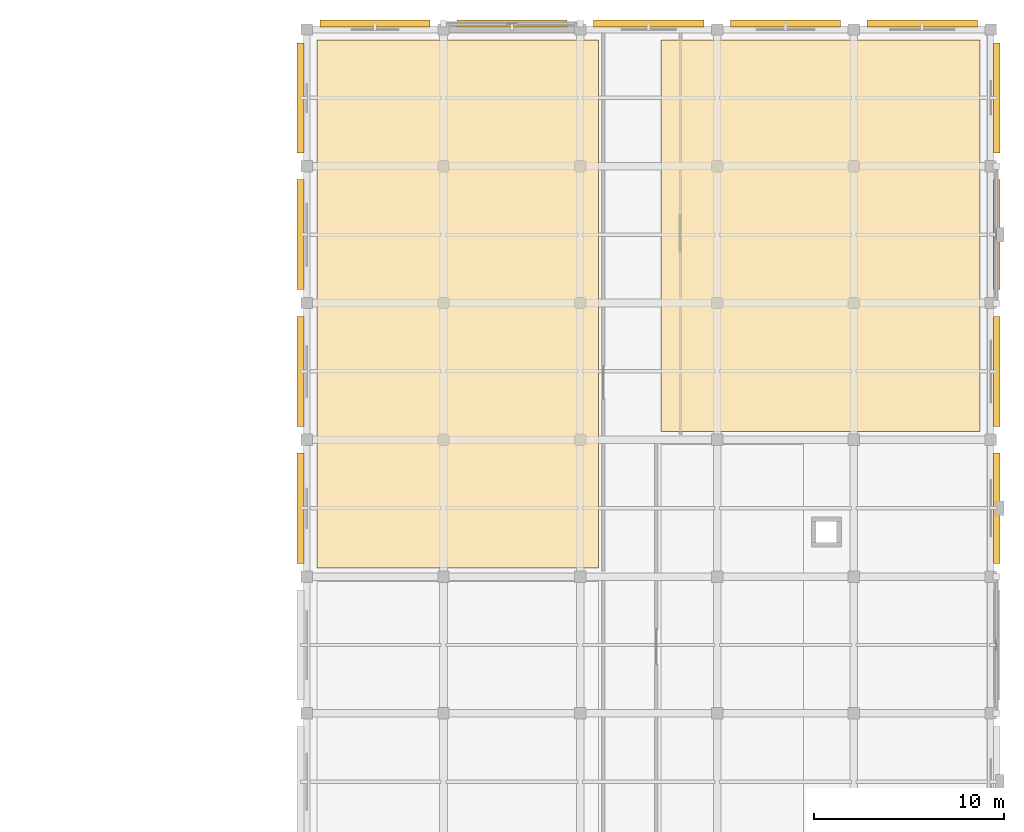
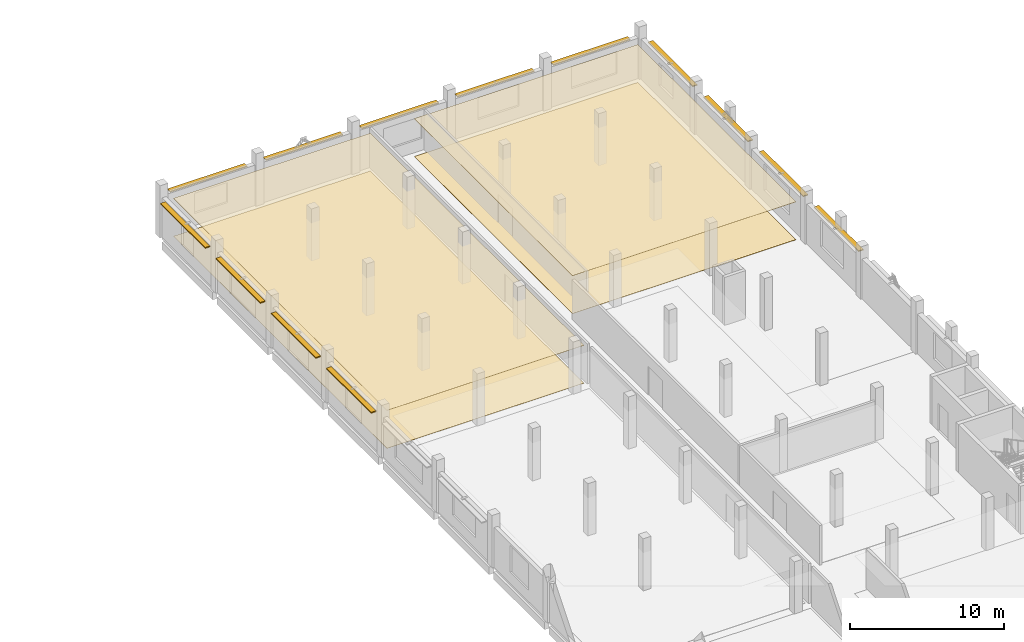
# One storey, part 51 of 51: 13 shading devices, 4 coverings.
"""IFC4 building model written with IfcOpenShell, lengths in metres."""

import ifcopenshell
import ifcopenshell.guid

model = None  # the IFC model being written
_history = None  # IfcOwnerHistory: only IFC2X3 demands one
_inside = {}  # id of a spatial element -> (the spatial element, [elements in it])
_under = {}  # id of a project, library or spatial element -> (it, [spatial elements below it])
_declared = {}  # id of a project -> (the project, [libraries it declares])
_typed = {}  # id of a type object -> (the type object, [elements of that type])
_made_of = {}  # id of a material, layer set ... -> (it, [elements and type objects made of it])


def new_model(schema):
    """Start an empty IFC model of exactly this schema.

    Asked for "IFC4X3", IfcOpenShell would pick the latest addendum, in which some entities
    have other attributes; the version numbers below select the first issue.
    IFC2X3 requires an IfcOwnerHistory on every rooted entity: one is made here for all.
    """
    global model, _history
    if schema == "IFC4X3":
        model = ifcopenshell.file(schema_version=(4, 3, 0, 0))
    else:
        model = ifcopenshell.file(schema=schema)
    _inside.clear()
    _under.clear()
    _declared.clear()
    _typed.clear()
    _made_of.clear()
    _history = None
    if model.schema == "IFC2X3":
        org = make("IfcOrganization", Name="unknown")
        user = make(
            "IfcPersonAndOrganization",
            ThePerson=make("IfcPerson", FamilyName="unknown"),
            TheOrganization=org,
        )
        app = make(
            "IfcApplication",
            ApplicationDeveloper=org,
            Version="unknown",
            ApplicationFullName="unknown",
            ApplicationIdentifier="unknown",
        )
        _history = make(
            "IfcOwnerHistory",
            OwningUser=user,
            OwningApplication=app,
            ChangeAction="ADDED",
            CreationDate=0,
        )
    return model


def make(cls, **values):
    """One entity of the class cls with the attributes given. An attribute that is None is left unset."""
    return model.create_entity(
        cls, **{name: value for name, value in values.items() if value is not None}
    )


def rooted(cls, **values):
    """An entity with a GlobalId (a new one), such as an element, a storey or a relation."""
    return make(cls, GlobalId=ifcopenshell.guid.new(), OwnerHistory=_history, **values)


def si_unit(unit_type, name, prefix=None):
    """IfcSIUnit, for example si_unit("LENGTHUNIT", "METRE", prefix="MILLI")."""
    return make("IfcSIUnit", UnitType=unit_type, Prefix=prefix, Name=name)


def assignment(units):
    """IfcUnitAssignment: the units of a project."""
    return None if units is None else make("IfcUnitAssignment", Units=units)


def point(xyz):
    """IfcCartesianPoint."""
    return None if xyz is None else make("IfcCartesianPoint", Coordinates=xyz)


def direction(xyz):
    """IfcDirection."""
    return None if xyz is None else make("IfcDirection", DirectionRatios=xyz)


def frame(location, z_axis=None, x_axis=None):
    """IfcAxis2Placement3D, a coordinate frame: its origin and axes. An axis left out is left unset."""
    return make(
        "IfcAxis2Placement3D",
        Location=point(location),
        Axis=direction(z_axis),
        RefDirection=direction(x_axis),
    )


def frame_2d(location, x_axis=None):
    """IfcAxis2Placement2D, a coordinate frame in the plane: its origin and x axis."""
    return make(
        "IfcAxis2Placement2D", Location=point(location), RefDirection=direction(x_axis)
    )


def origin():
    """The frame at (0, 0, 0) with its axes left unset."""
    return frame((0.0, 0.0, 0.0))


def origin_2d():
    """The frame at (0, 0) in the plane with its x axis left unset."""
    return frame_2d((0.0, 0.0))


def place(relative_to, where):
    """IfcLocalPlacement: puts the frame where relative to a parent placement (None: the world)."""
    return make(
        "IfcLocalPlacement", PlacementRelTo=relative_to, RelativePlacement=where
    )


def context(
    kind, dimensions, precision=None, world=None, true_north=None, identifier=None
):
    """IfcGeometricRepresentationContext, for example the 3D "Model" context."""
    return make(
        "IfcGeometricRepresentationContext",
        ContextIdentifier=identifier,
        ContextType=kind,
        CoordinateSpaceDimension=dimensions,
        Precision=precision,
        WorldCoordinateSystem=world,
        TrueNorth=true_north,
    )


def subcontext(parent, identifier, kind, view, scale=None):
    """IfcGeometricRepresentationSubContext, for example "Body" below "Model"."""
    return make(
        "IfcGeometricRepresentationSubContext",
        ContextIdentifier=identifier,
        ContextType=kind,
        ParentContext=parent,
        TargetScale=scale,
        TargetView=view,
    )


def project(units=None, contexts=None):
    """IfcProject with its units and contexts."""
    return rooted(
        "IfcProject",
        Name="project",
        RepresentationContexts=contexts,
        UnitsInContext=assignment(units),
    )


def spatial(cls, under=None, at=None, **own):
    """A site, building, storey or space (cls), placed at a placement, below another one or the project."""
    s = rooted(cls, ObjectPlacement=at, **own)
    if under is not None:
        _under.setdefault(under.id(), (under, []))[1].append(s)
    return s


def polyline(points):
    """IfcPolyline through the points."""
    return make("IfcPolyline", Points=[point(p) for p in points])


def profile(cls, at=None, kind="AREA", **sizes):
    """A parametric profile (cls). Its sizes go by their IFC names, for example OverallWidth=200.0."""
    return make(cls, ProfileType=kind, Position=at, **sizes)


def rectangle(**sizes):
    """IfcRectangleProfileDef."""
    return profile("IfcRectangleProfileDef", **sizes)


def outline(outer, holes=None, kind="AREA"):
    """IfcArbitraryClosedProfileDef: a profile drawn as a closed curve; with holes, ...WithVoids."""
    if holes is None:
        return make("IfcArbitraryClosedProfileDef", ProfileType=kind, OuterCurve=outer)
    return make(
        "IfcArbitraryProfileDefWithVoids",
        ProfileType=kind,
        OuterCurve=outer,
        InnerCurves=holes,
    )


def extrude(swept, where, along, depth):
    """IfcExtrudedAreaSolid: the profile swept, set in the frame where, extruded along a direction by depth."""
    return make(
        "IfcExtrudedAreaSolid",
        SweptArea=swept,
        Position=where,
        ExtrudedDirection=direction(along),
        Depth=depth,
    )


def shape(context_of_items, identifier, shape_type, items):
    """IfcShapeRepresentation: the items that make up one representation, for example the "Body"."""
    return make(
        "IfcShapeRepresentation",
        ContextOfItems=context_of_items,
        RepresentationIdentifier=identifier,
        RepresentationType=shape_type,
        Items=items,
    )


def material(Name=None, Category=None):
    """IfcMaterial."""
    return make("IfcMaterial", Name=Name, Category=Category)


def layer(
    of_material, thickness, ventilated=None, Name=None, Category=None, Priority=None
):
    """IfcMaterialLayer: one layer of a wall or slab, of a material (None: an air gap)."""
    return make(
        "IfcMaterialLayer",
        Material=of_material,
        LayerThickness=thickness,
        IsVentilated=ventilated,
        Name=Name,
        Category=Category,
        Priority=Priority,
    )


def layer_set(layers, Name=None):
    """IfcMaterialLayerSet."""
    return make("IfcMaterialLayerSet", MaterialLayers=layers, LayerSetName=Name)


def made_of(thing, what):
    """Note that an element or type object is made of a material, layer set ...; save() writes the relation."""
    if what is not None:
        _made_of.setdefault(what.id(), (what, []))[1].append(thing)
    return thing


def type_object(cls, material=None, **own):
    """A type object (cls), such as IfcWallType, which elements share."""
    return made_of(rooted(cls, **own), material)


def element(
    cls,
    number,
    at=None,
    inside=None,
    cuts=None,
    type_object=None,
    material=None,
    context=None,
    identifier="Body",
    shape_type=None,
    held_by="IfcProductDefinitionShape",
    body=None,
    shapes=None,
    **own,
):
    """One element of the class cls, such as IfcWall. Its Tag is "e" and its number.

    at: its placement. inside: the storey or other place that contains it. cuts: it is an
    opening in that element (IfcRelVoidsElement). A single representation is given by context,
    identifier, shape_type and body (its items); several are given by shapes. held_by: the class
    of the entity that holds the representations. save() writes the other relations.
    """
    e = rooted(cls, Tag="e%d" % number, ObjectPlacement=at, **own)
    if body is not None:
        shapes = [shape(context, identifier, shape_type, body)]
    if shapes is not None:
        e.Representation = make(held_by, Representations=shapes)
    if inside is not None:
        _inside.setdefault(inside.id(), (inside, []))[1].append(e)
    if cuts is not None:
        rooted(
            "IfcRelVoidsElement", RelatingBuildingElement=cuts, RelatedOpeningElement=e
        )
    if type_object is not None:
        _typed.setdefault(type_object.id(), (type_object, []))[1].append(e)
    return made_of(e, material)


def aggregate(whole, parts):
    """IfcRelAggregates: a whole, such as a stair, and the parts it consists of."""
    return rooted("IfcRelAggregates", RelatingObject=whole, RelatedObjects=parts)


def save(model, path):
    """Write the relations noted so far, then the file.

    IfcRelAggregates (storeys below a building ...), IfcRelContainedInSpatialStructure (elements
    in a storey), IfcRelDefinesByType, IfcRelAssociatesMaterial and IfcRelDeclares: one each for
    every whole, place, type object, material and project.
    """
    for whole, parts in _under.values():
        aggregate(whole, parts)
    for where, things in _inside.values():
        rooted(
            "IfcRelContainedInSpatialStructure",
            RelatedElements=things,
            RelatingStructure=where,
        )
    for kind, things in _typed.values():
        rooted("IfcRelDefinesByType", RelatedObjects=things, RelatingType=kind)
    for what, things in _made_of.values():
        rooted("IfcRelAssociatesMaterial", RelatedObjects=things, RelatingMaterial=what)
    for by, libraries in _declared.values():
        rooted("IfcRelDeclares", RelatingContext=by, RelatedDefinitions=libraries)
    model.write(path)


model = new_model("IFC4")

# Units and contexts
model_context = context("Model", 3, precision=1e-05, world=origin(), true_north=direction((0.0, 1.0)))
body_context = subcontext(model_context, "Body", "Model", "MODEL_VIEW")
ifc_project = project(units=[si_unit("LENGTHUNIT", "METRE"), si_unit("AREAUNIT", "SQUARE_METRE"), si_unit("VOLUMEUNIT", "CUBIC_METRE"), si_unit("PLANEANGLEUNIT", "RADIAN"), si_unit("MASSUNIT", "GRAM", prefix="KILO")], contexts=[model_context])

# Site, building, storey
site_placement = place(None, origin())
site = spatial("IfcSite", under=ifc_project, at=site_placement, CompositionType="ELEMENT")
building_placement = place(site_placement, origin())
building = spatial("IfcBuilding", under=site, at=building_placement, Name="Valkovuoma Quantum and Materials Research Institute", CompositionType="ELEMENT")
storey_placement = place(building_placement, frame((0.0, 0.0, 17.280029296875)))
storey = spatial("IfcBuildingStorey", under=building, at=storey_placement, Name="L04", CompositionType="ELEMENT", Elevation=17.280029296875)

# Coverings
ifc_material_1 = material(Name="Cleanable acoustic mineral-fibre suspended ceiling", Category="masonry")
ifc_layer_1 = layer(ifc_material_1, 0.02490234375)
ifc_layer_set_1 = layer_set([ifc_layer_1], Name="Cleanable acoustic mineral-fibre suspended ceiling")
covering_type_1 = type_object("IfcCoveringType", Name="Cov-CEIL-01", PredefinedType="CEILING", material=ifc_layer_set_1)
covering_1_placement = place(storey_placement, frame((0.0, 0.0, 3.0)))
element("IfcCovering", 1, at=covering_1_placement, inside=storey, type_object=covering_type_1, Name="L04 acoustic ceiling 0114", PredefinedType="CEILING", context=body_context, shape_type="SweptSolid", body=[
    extrude(outline(polyline([(130.14990234375, 86.85009765625), (144.949951171875, 86.85009765625), (144.949951171875, 114.64990234375), (130.14990234375, 114.64990234375), (130.14990234375, 86.85009765625)])), origin(), (0.0, 0.0, 1.0), 0.02490234375),
])
covering_2_placement = place(storey_placement, frame((0.0, 0.0, 3.0)))
element("IfcCovering", 2, at=covering_2_placement, inside=storey, type_object=covering_type_1, Name="L04 acoustic ceiling 0118", PredefinedType="CEILING", context=body_context, shape_type="SweptSolid", body=[
    extrude(outline(polyline([(148.25, 94.050048828125), (165.050048828125, 94.050048828125), (165.050048828125, 114.64990234375), (148.25, 114.64990234375), (148.25, 94.050048828125)])), origin(), (0.0, 0.0, 1.0), 0.02490234375),
])
ifc_material_2 = material(Name="Seamless dissipative laboratory resin flooring", Category="masonry")
ifc_layer_2 = layer(ifc_material_2, 0.014892578125)
ifc_layer_set_2 = layer_set([ifc_layer_2], Name="Seamless dissipative laboratory resin flooring")
covering_type_2 = type_object("IfcCoveringType", Name="Cov-FLOR-01", PredefinedType="FLOORING", material=ifc_layer_set_2)
covering_3_placement = place(storey_placement, origin())
element("IfcCovering", 3, at=covering_3_placement, inside=storey, type_object=covering_type_2, Name="L04 resin flooring 0114", PredefinedType="FLOORING", context=body_context, shape_type="SweptSolid", body=[
    extrude(outline(polyline([(130.14990234375, 86.85009765625), (144.949951171875, 86.85009765625), (144.949951171875, 114.64990234375), (130.14990234375, 114.64990234375), (130.14990234375, 86.85009765625)])), origin(), (0.0, 0.0, 1.0), 0.014892578125),
])
covering_4_placement = place(storey_placement, origin())
element("IfcCovering", 4, at=covering_4_placement, inside=storey, type_object=covering_type_2, Name="L04 resin flooring 0118", PredefinedType="FLOORING", context=body_context, shape_type="SweptSolid", body=[
    extrude(outline(polyline([(148.25, 94.050048828125), (165.050048828125, 94.050048828125), (165.050048828125, 114.64990234375), (148.25, 114.64990234375), (148.25, 94.050048828125)])), origin(), (0.0, 0.0, 1.0), 0.014892578125),
])

# Shading devices
ifc_material_3 = material(Name="Powder-coated white perforated architectural aluminium panel", Category="aluminium")
ifc_layer_3 = layer(ifc_material_3, 0.050048828125)
ifc_layer_set_3 = layer_set([ifc_layer_3], Name="Powder-coated white perforated architectural aluminium panel")
shading_device_type_1 = type_object("IfcShadingDeviceType", Name="Screen-SCR-DENSE", PredefinedType="JALOUSIE", material=ifc_layer_set_3)
for number, where, z_axis, x_axis, name in (
    (5, (165.919921875, 104.39990234375, 3.010009765625), (0.0, 0.0, 1.0), (1.0, 0.0, 0.0), "L04 wet-lab solar sunshade E-0084"),
    (6, (129.280029296875, 104.39990234375, 3.010009765625), (0.0, 0.0, 1.0), (1.0, 0.0, 0.0), "L04 wet-lab solar sunshade W-0085"),
):
    element("IfcShadingDevice", number, at=place(storey_placement, frame(where, z_axis=z_axis, x_axis=x_axis)), inside=storey, type_object=shading_device_type_1, Name=name, PredefinedType="JALOUSIE", context=body_context, shape_type="SweptSolid", body=[
        extrude(rectangle(XDim=0.360107421875, YDim=5.800048828125, at=origin_2d()), origin(), (0.0, 0.0, 1.0), 0.080078125),
    ])
shading_device_placement = place(storey_placement, frame((147.60009765625, 115.52001953125, 3.010009765625), z_axis=(0.0, 0.0, 1.0), x_axis=(1.0, 0.0, 0.0)))
element("IfcShadingDevice", 7, at=shading_device_placement, inside=storey, type_object=shading_device_type_1, Name="L04 wet-lab north sunshade 0090", PredefinedType="JALOUSIE", context=body_context, shape_type="SweptSolid", body=[
    extrude(rectangle(XDim=5.800048828125, YDim=0.360107421875, at=origin_2d()), origin(), (0.0, 0.0, 1.0), 0.080078125),
])
ifc_material_4 = material(Name="Powder-coated white perforated architectural aluminium panel", Category="aluminium")
ifc_layer_4 = layer(ifc_material_4, 0.050048828125)
ifc_layer_set_4 = layer_set([ifc_layer_4], Name="Powder-coated white perforated architectural aluminium panel")
shading_device_type_2 = type_object("IfcShadingDeviceType", Name="Screen-SCR-MID", PredefinedType="JALOUSIE", material=ifc_layer_set_4)
for number, where, z_axis, x_axis, name in (
    (8, (165.919921875, 90.0, 3.010009765625), (0.0, 0.0, 1.0), (1.0, 0.0, 0.0), "L04 wet-lab solar sunshade E-0080"),
    (9, (129.280029296875, 90.0, 3.010009765625), (0.0, 0.0, 1.0), (1.0, 0.0, 0.0), "L04 wet-lab solar sunshade W-0081"),
    (10, (165.919921875, 111.60009765625, 3.010009765625), (0.0, 0.0, 1.0), (1.0, 0.0, 0.0), "L04 wet-lab solar sunshade E-0086"),
    (11, (129.280029296875, 111.60009765625, 3.010009765625), (0.0, 0.0, 1.0), (1.0, 0.0, 0.0), "L04 wet-lab solar sunshade W-0087"),
):
    element("IfcShadingDevice", number, at=place(storey_placement, frame(where, z_axis=z_axis, x_axis=x_axis)), inside=storey, type_object=shading_device_type_2, Name=name, PredefinedType="JALOUSIE", context=body_context, shape_type="SweptSolid", body=[
        extrude(rectangle(XDim=0.360107421875, YDim=5.800048828125, at=origin_2d()), origin(), (0.0, 0.0, 1.0), 0.080078125),
    ])
for number, where, z_axis, x_axis, name in (
    (12, (133.199951171875, 115.52001953125, 3.010009765625), (0.0, 0.0, 1.0), (1.0, 0.0, 0.0), "L04 wet-lab north sunshade 0088"),
    (13, (154.800048828125, 115.52001953125, 3.010009765625), (0.0, 0.0, 1.0), (1.0, 0.0, 0.0), "L04 wet-lab north sunshade 0091"),
):
    element("IfcShadingDevice", number, at=place(storey_placement, frame(where, z_axis=z_axis, x_axis=x_axis)), inside=storey, type_object=shading_device_type_2, Name=name, PredefinedType="JALOUSIE", context=body_context, shape_type="SweptSolid", body=[
        extrude(rectangle(XDim=5.800048828125, YDim=0.360107421875, at=origin_2d()), origin(), (0.0, 0.0, 1.0), 0.080078125),
    ])
ifc_material_5 = material(Name="Powder-coated white perforated architectural aluminium panel", Category="aluminium")
ifc_layer_5 = layer(ifc_material_5, 0.050048828125)
ifc_layer_set_5 = layer_set([ifc_layer_5], Name="Powder-coated white perforated architectural aluminium panel")
shading_device_type_3 = type_object("IfcShadingDeviceType", Name="Screen-SCR-SPARSE", PredefinedType="JALOUSIE", material=ifc_layer_set_5)
for number, where, z_axis, x_axis, name in (
    (14, (165.919921875, 97.199951171875, 3.010009765625), (0.0, 0.0, 1.0), (1.0, 0.0, 0.0), "L04 wet-lab solar sunshade E-0082"),
    (15, (129.280029296875, 97.199951171875, 3.010009765625), (0.0, 0.0, 1.0), (1.0, 0.0, 0.0), "L04 wet-lab solar sunshade W-0083"),
):
    element("IfcShadingDevice", number, at=place(storey_placement, frame(where, z_axis=z_axis, x_axis=x_axis)), inside=storey, type_object=shading_device_type_3, Name=name, PredefinedType="JALOUSIE", context=body_context, shape_type="SweptSolid", body=[
        extrude(rectangle(XDim=0.360107421875, YDim=5.800048828125, at=origin_2d()), origin(), (0.0, 0.0, 1.0), 0.080078125),
    ])
for number, where, z_axis, x_axis, name in (
    (16, (140.39990234375, 115.52001953125, 3.010009765625), (0.0, 0.0, 1.0), (1.0, 0.0, 0.0), "L04 wet-lab north sunshade 0089"),
    (17, (162.0, 115.52001953125, 3.010009765625), (0.0, 0.0, 1.0), (1.0, 0.0, 0.0), "L04 wet-lab north sunshade 0092"),
):
    element("IfcShadingDevice", number, at=place(storey_placement, frame(where, z_axis=z_axis, x_axis=x_axis)), inside=storey, type_object=shading_device_type_3, Name=name, PredefinedType="JALOUSIE", context=body_context, shape_type="SweptSolid", body=[
        extrude(rectangle(XDim=5.800048828125, YDim=0.360107421875, at=origin_2d()), origin(), (0.0, 0.0, 1.0), 0.080078125),
    ])

save(model, "model.ifc")
